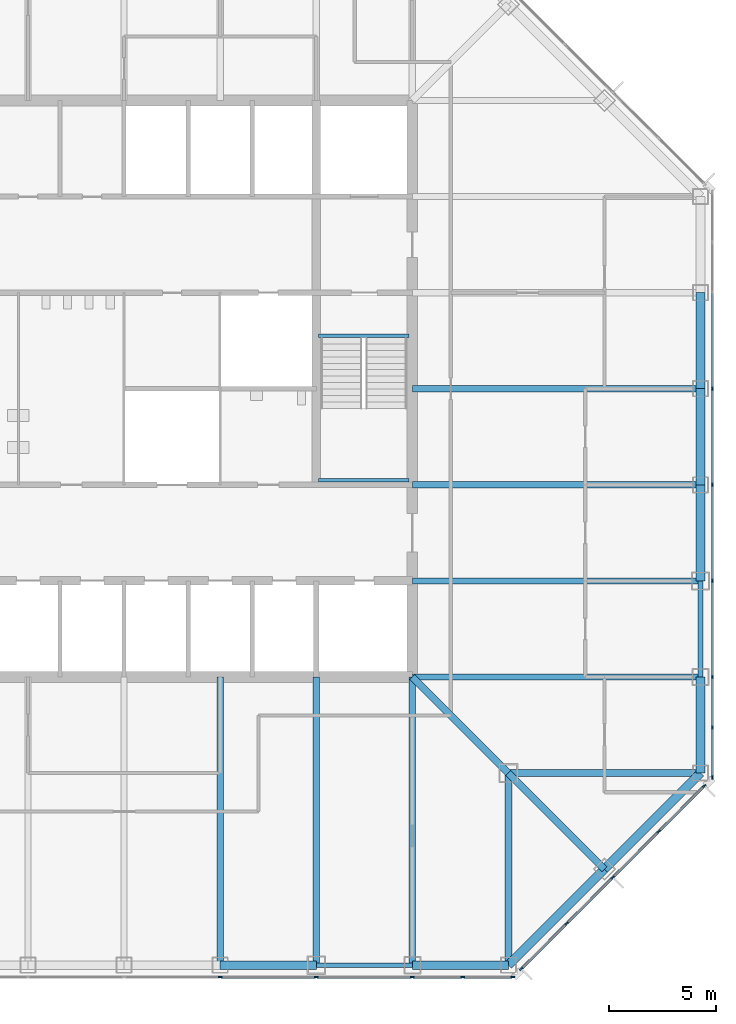
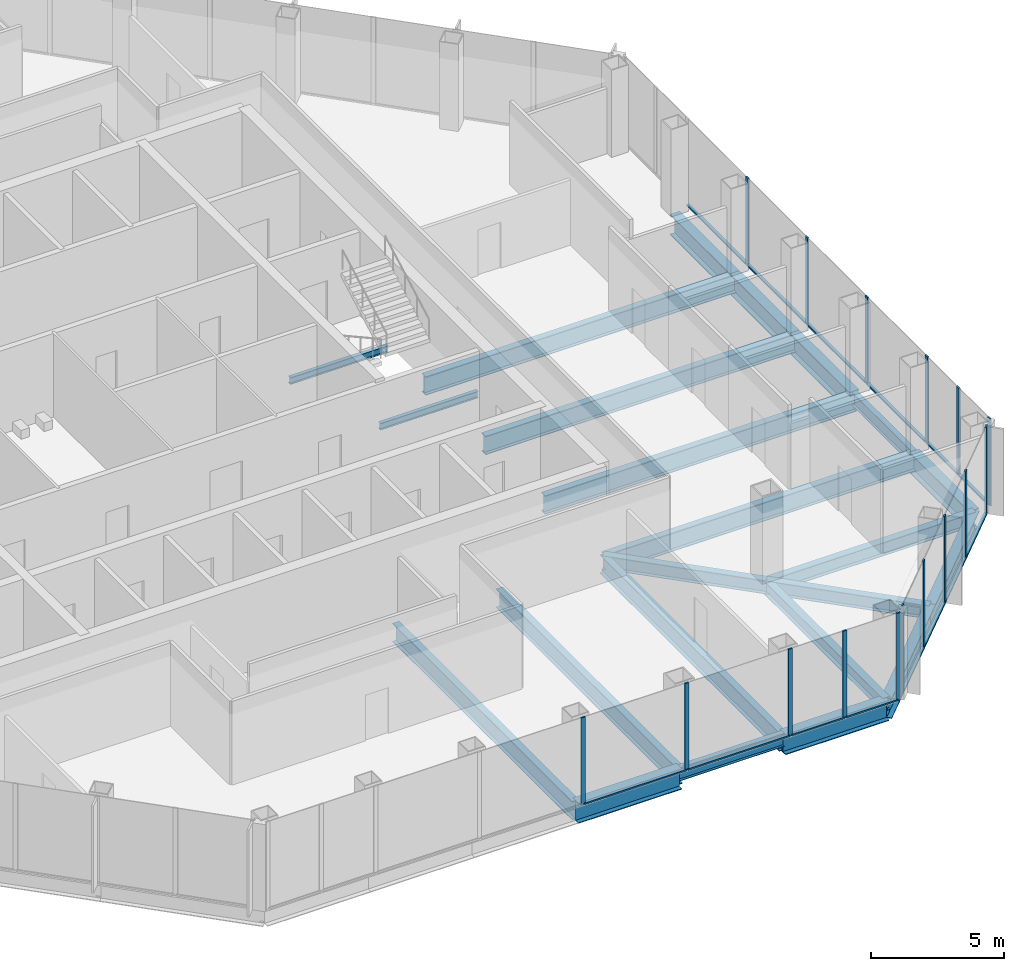
# One storey, part 4 of 13: 30 members, 23 beams, 3 elements without a shape of their own.
"""IFC4 building model written with IfcOpenShell, lengths in metres."""

from ifc_helpers import new_model, si_unit, direction, frame, origin, origin_2d, place, context, subcontext, project, spatial, rectangle, i_section, extrude, material, material_profile, profile_set, type_object, element, aggregate, save


model = new_model("IFC4")

# Units and contexts
model_context = context("Model", 3, precision=1e-05, world=origin(), true_north=direction((0.0, 1.0)))
body_context = subcontext(model_context, "Body", "Model", "MODEL_VIEW")
ifc_project = project(units=[si_unit("LENGTHUNIT", "METRE"), si_unit("AREAUNIT", "SQUARE_METRE"), si_unit("VOLUMEUNIT", "CUBIC_METRE"), si_unit("PLANEANGLEUNIT", "RADIAN"), si_unit("MASSUNIT", "GRAM", prefix="KILO")], contexts=[model_context])

# Site, building, storey
site_placement = place(None, origin())
site = spatial("IfcSite", under=ifc_project, at=site_placement, CompositionType="ELEMENT")
building_placement = place(site_placement, origin())
building = spatial("IfcBuilding", under=site, at=building_placement, Name="Corais Broadcast Tower", CompositionType="ELEMENT")
storey_placement = place(building_placement, frame((0.0, 0.0, 191.60009765625)))
storey = spatial("IfcBuildingStorey", under=building, at=storey_placement, Name="L44", CompositionType="ELEMENT", Elevation=191.60009765625)

# Beams
ifc_material_1 = material(Name="Steel ASTM A572 Grade 50", Category="steel")
ifc_material_profile_1 = material_profile(ifc_material_1, i_section(OverallWidth=0.323974609375, OverallDepth=0.611083984375, WebThickness=0.0126953125, FlangeThickness=0.01904296875, at=origin_2d()), Name="W610x155")
ifc_profile_set_1 = profile_set([ifc_material_profile_1], Name="Steel ASTM A572 Grade 50")
beam_type_1 = type_object("IfcBeamType", Name="Chamfer tie W610x155", PredefinedType="BEAM", material=ifc_profile_set_1)
beam_1_placement = place(storey_placement, frame((49.5, 4.5, -0.465576171875), z_axis=(-0.707106781187, 0.707106781187, 0.0), x_axis=(-0.707106781187, -0.707106781187, 0.0)))
element("IfcBeam", 1, at=beam_1_placement, inside=storey, type_object=beam_type_1, Name="B5 B/14 to C/13", PredefinedType="BEAM", context=body_context, shape_type="SweptSolid", body=[
    extrude(i_section(OverallWidth=0.323974609375, OverallDepth=0.611083984375, WebThickness=0.0126953125, FlangeThickness=0.01904296875, at=origin_2d()), origin(), (0.0, 0.0, 1.0), 6.364013671875),
])
ifc_material_2 = material(Name="Steel ASTM A572 Grade 50", Category="steel")
ifc_material_profile_2 = material_profile(ifc_material_2, i_section(OverallWidth=0.323974609375, OverallDepth=0.611083984375, WebThickness=0.0126953125, FlangeThickness=0.01904296875, at=origin_2d()), Name="W610x155")
ifc_profile_set_2 = profile_set([ifc_material_profile_2], Name="Steel ASTM A572 Grade 50")
beam_type_2 = type_object("IfcBeamType", Name="Corner diagonal W610x155", PredefinedType="BEAM", material=ifc_profile_set_2)
beam_2_placement = place(storey_placement, frame((45.0, 9.0, -0.465576171875), z_axis=(-0.707106781187, 0.707106781187, 0.0), x_axis=(-0.707106781187, -0.707106781187, 0.0)))
element("IfcBeam", 2, at=beam_2_placement, inside=storey, type_object=beam_type_2, Name="B6 C/13 to D/12", PredefinedType="BEAM", context=body_context, shape_type="SweptSolid", body=[
    extrude(i_section(OverallWidth=0.323974609375, OverallDepth=0.611083984375, WebThickness=0.0126953125, FlangeThickness=0.01904296875, at=origin_2d()), origin(), (0.0, 0.0, 1.0), 6.364013671875),
])
ifc_material_3 = material(Name="Steel ASTM A572 Grade 50", Category="steel")
ifc_material_profile_3 = material_profile(ifc_material_3, i_section(OverallWidth=0.323974609375, OverallDepth=0.611083984375, WebThickness=0.0126953125, FlangeThickness=0.01904296875, at=origin_2d()), Name="W610x155")
ifc_profile_set_3 = profile_set([ifc_material_profile_3], Name="Steel ASTM A572 Grade 50")
beam_type_3 = type_object("IfcBeamType", Name="Corner girder W610x155", PredefinedType="BEAM", material=ifc_profile_set_3)
for number, where, z_axis, x_axis, name in (
    (3, (45.0, 0.0, -0.465576171875), (0.0, 1.0, 0.0), (-1.0, 0.0, 0.0), "B4 A/13 to C/13"),
    (4, (54.0, 9.0, -0.465576171875), (-1.0, 0.0, 0.0), (0.0, -1.0, 0.0), "B4 C/15 to C/13"),
):
    element("IfcBeam", number, at=place(storey_placement, frame(where, z_axis=z_axis, x_axis=x_axis)), inside=storey, type_object=beam_type_3, Name=name, PredefinedType="BEAM", context=body_context, shape_type="SweptSolid", body=[
        extrude(i_section(OverallWidth=0.323974609375, OverallDepth=0.611083984375, WebThickness=0.0126953125, FlangeThickness=0.01904296875, at=origin_2d()), origin(), (0.0, 0.0, 1.0), 9.0),
    ])
ifc_material_4 = material(Name="Steel ASTM A572 Grade 50", Category="steel")
ifc_material_profile_4 = material_profile(ifc_material_4, i_section(OverallWidth=0.2939453125, OverallDepth=0.85107421875, WebThickness=0.01611328125, FlangeThickness=0.02685546875, at=origin_2d()), Name="W840x226")
ifc_profile_set_4 = profile_set([ifc_material_profile_4], Name="Steel ASTM A572 Grade 50")
beam_type_4 = type_object("IfcBeamType", Name="Floor beam W840x226", PredefinedType="BEAM", material=ifc_profile_set_4)
for number, where, z_axis, x_axis, name in (
    (5, (31.5, 0.0, -0.585693359375), (0.0, 1.0, 0.0), (-1.0, 0.0, 0.0), "B1 A/10 to D/10"),
    (6, (36.0, 0.0, -0.585693359375), (0.0, 1.0, 0.0), (-1.0, 0.0, 0.0), "B1 A/11 to D/11"),
    (7, (40.5, 0.0, -0.585693359375), (0.0, 1.0, 0.0), (-1.0, 0.0, 0.0), "B1 A/12 to D/12"),
    (8, (54.0, 13.5, -0.585693359375), (-1.0, 0.0, 0.0), (0.0, -1.0, 0.0), "B1 D/15 to D/12"),
    (9, (54.0, 18.0, -0.585693359375), (-1.0, 0.0, 0.0), (0.0, -1.0, 0.0), "B1 E/15 to E/12"),
    (10, (54.0, 22.5, -0.585693359375), (-1.0, 0.0, 0.0), (0.0, -1.0, 0.0), "B1 F/15 to F/12"),
    (11, (54.0, 27.0, -0.585693359375), (-1.0, 0.0, 0.0), (0.0, -1.0, 0.0), "B1 G/15 to G/12"),
):
    element("IfcBeam", number, at=place(storey_placement, frame(where, z_axis=z_axis, x_axis=x_axis)), inside=storey, type_object=beam_type_4, Name=name, PredefinedType="BEAM", context=body_context, shape_type="SweptSolid", body=[
        extrude(i_section(OverallWidth=0.2939453125, OverallDepth=0.85107421875, WebThickness=0.01611328125, FlangeThickness=0.02685546875, at=origin_2d()), origin(), (0.0, 0.0, 1.0), 13.5),
    ])
ifc_material_5 = material(Name="Steel ASTM A572 Grade 50", Category="steel")
ifc_material_profile_5 = material_profile(ifc_material_5, i_section(OverallWidth=0.1650390625, OverallDepth=0.31005859375, WebThickness=0.005859375, FlangeThickness=0.009765625, at=origin_2d()), Name="W310x38.7")
ifc_profile_set_5 = profile_set([ifc_material_profile_5], Name="Steel ASTM A572 Grade 50")
beam_type_5 = type_object("IfcBeamType", Name="Landing trimmer W310x38.7", PredefinedType="BEAM", material=ifc_profile_set_5)
for number, where, z_axis, x_axis, name in (
    (12, (36.10009765625, 29.47509765625, -0.35498046875), (1.0, 0.0, 0.0), (0.0, 1.0, 0.0), "LT1 stair B landing trimmer L44"),
    (13, (36.10009765625, 22.715087890625, 1.64501953125), (1.0, 0.0, 0.0), (0.0, 1.0, 0.0), "LT1 stair B half landing trimmer L44"),
):
    element("IfcBeam", number, at=place(storey_placement, frame(where, z_axis=z_axis, x_axis=x_axis)), inside=storey, type_object=beam_type_5, Name=name, PredefinedType="BEAM", context=body_context, shape_type="SweptSolid", body=[
        extrude(i_section(OverallWidth=0.1650390625, OverallDepth=0.31005859375, WebThickness=0.005859375, FlangeThickness=0.009765625, at=origin_2d()), origin(), (0.0, 0.0, 1.0), 4.25),
    ])

# Curtain wall, members
ifc_material_6 = material(Name="Aluminium and glass", Category="aluminium")
curtain_wall_type = type_object("IfcCurtainWallType", Name="Unitised fritted curtain wall CW2", PredefinedType="NOTDEFINED", material=ifc_material_6)
curtain_wall_1_placement = place(storey_placement, origin())
curtain_wall_1 = element("IfcCurtainWall", 14, at=curtain_wall_1_placement, inside=storey, type_object=curtain_wall_type, Name="CW2 curtain wall L44 6", PredefinedType="NOTDEFINED")
ifc_material_7 = material(Name="Aluminium 6063-T6", Category="aluminium")
ifc_material_profile_6 = material_profile(ifc_material_7, rectangle(XDim=0.06494140625, YDim=0.179931640625, at=origin_2d()), Name="Mullion CW2 65x180")
ifc_profile_set_6 = profile_set([ifc_material_profile_6], Name="Aluminium 6063-T6")
member_type_1 = type_object("IfcMemberType", Name="Mullion CW2 65x180", PredefinedType="MULLION", material=ifc_profile_set_6)
member_1_placement = place(storey_placement, frame((54.550048828125, 27.0, 0.0), z_axis=(0.0, 0.0, 1.0), x_axis=(1.0, 0.0, 0.0)))
member_1 = element("IfcMember", 15, at=member_1_placement, type_object=member_type_1, Name="CW2 mullion 4", PredefinedType="MULLION", context=body_context, shape_type="SweptSolid", body=[
    extrude(rectangle(XDim=0.06494140625, YDim=0.179931640625, at=origin_2d()), origin(), (0.0, 0.0, 1.0), 4.0),
])
member_2_placement = place(storey_placement, frame((54.550048828125, 22.5, 0.0), z_axis=(0.0, 0.0, 1.0), x_axis=(1.0, 0.0, 0.0)))
member_2 = element("IfcMember", 16, at=member_2_placement, type_object=member_type_1, Name="CW2 mullion 5", PredefinedType="MULLION", context=body_context, shape_type="SweptSolid", body=[
    extrude(rectangle(XDim=0.06494140625, YDim=0.179931640625, at=origin_2d()), origin(), (0.0, 0.0, 1.0), 4.0),
])
member_3_placement = place(storey_placement, frame((54.550048828125, 18.0, 0.0), z_axis=(0.0, 0.0, 1.0), x_axis=(1.0, 0.0, 0.0)))
member_3 = element("IfcMember", 17, at=member_3_placement, type_object=member_type_1, Name="CW2 mullion 6", PredefinedType="MULLION", context=body_context, shape_type="SweptSolid", body=[
    extrude(rectangle(XDim=0.06494140625, YDim=0.179931640625, at=origin_2d()), origin(), (0.0, 0.0, 1.0), 4.0),
])
member_4_placement = place(storey_placement, frame((54.550048828125, 13.5, 0.0), z_axis=(0.0, 0.0, 1.0), x_axis=(1.0, 0.0, 0.0)))
member_4 = element("IfcMember", 18, at=member_4_placement, type_object=member_type_1, Name="CW2 mullion 7", PredefinedType="MULLION", context=body_context, shape_type="SweptSolid", body=[
    extrude(rectangle(XDim=0.06494140625, YDim=0.179931640625, at=origin_2d()), origin(), (0.0, 0.0, 1.0), 4.0),
])
member_5_placement = place(storey_placement, frame((54.550048828125, 11.135986328125, 0.0), z_axis=(0.0, 0.0, 1.0), x_axis=(1.0, 0.0, 0.0)))
member_5 = element("IfcMember", 19, at=member_5_placement, type_object=member_type_1, Name="CW2 mullion 8", PredefinedType="MULLION", context=body_context, shape_type="SweptSolid", body=[
    extrude(rectangle(XDim=0.06494140625, YDim=0.179931640625, at=origin_2d()), origin(), (0.0, 0.0, 1.0), 4.0),
])
member_6_placement = place(storey_placement, frame((54.550048828125, 8.8046875, 0.0), z_axis=(0.0, 0.0, 1.0), x_axis=(1.0, 0.0, 0.0)))
member_6 = element("IfcMember", 20, at=member_6_placement, type_object=member_type_1, Name="CW2 mullion 9", PredefinedType="MULLION", context=body_context, shape_type="SweptSolid", body=[
    extrude(rectangle(XDim=0.06494140625, YDim=0.179931640625, at=origin_2d()), origin(), (0.0, 0.0, 1.0), 4.0),
])

curtain_wall_2_placement = place(storey_placement, origin())
curtain_wall_2 = element("IfcCurtainWall", 21, at=curtain_wall_2_placement, inside=storey, type_object=curtain_wall_type, Name="CW2 curtain wall L44 7", PredefinedType="NOTDEFINED")
member_7_placement = place(storey_placement, frame((54.17333984375, 8.3955078125, 0.0), z_axis=(0.0, 0.0, 1.0), x_axis=(0.707106781187, -0.707106781187, 0.0)))
member_7 = element("IfcMember", 22, at=member_7_placement, type_object=member_type_1, Name="CW2 mullion 1", PredefinedType="MULLION", context=body_context, shape_type="SweptSolid", body=[
    extrude(rectangle(XDim=0.06494140625, YDim=0.179931640625, at=origin_2d()), origin(), (0.0, 0.0, 1.0), 4.0),
])
member_8_placement = place(storey_placement, frame((52.042724609375, 6.264892578125, 0.0), z_axis=(0.0, 0.0, 1.0), x_axis=(0.707106781187, -0.707106781187, 0.0)))
member_8 = element("IfcMember", 23, at=member_8_placement, type_object=member_type_1, Name="CW2 mullion 2", PredefinedType="MULLION", context=body_context, shape_type="SweptSolid", body=[
    extrude(rectangle(XDim=0.06494140625, YDim=0.179931640625, at=origin_2d()), origin(), (0.0, 0.0, 1.0), 4.0),
])
member_9_placement = place(storey_placement, frame((49.888916015625, 4.111083984375, 0.0), z_axis=(0.0, 0.0, 1.0), x_axis=(0.707106781187, -0.707106781187, 0.0)))
member_9 = element("IfcMember", 24, at=member_9_placement, type_object=member_type_1, Name="CW2 mullion 3", PredefinedType="MULLION", context=body_context, shape_type="SweptSolid", body=[
    extrude(rectangle(XDim=0.06494140625, YDim=0.179931640625, at=origin_2d()), origin(), (0.0, 0.0, 1.0), 4.0),
])
member_10_placement = place(storey_placement, frame((47.735107421875, 1.957275390625, 0.0), z_axis=(0.0, 0.0, 1.0), x_axis=(0.707106781187, -0.707106781187, 0.0)))
member_10 = element("IfcMember", 25, at=member_10_placement, type_object=member_type_1, Name="CW2 mullion 4", PredefinedType="MULLION", context=body_context, shape_type="SweptSolid", body=[
    extrude(rectangle(XDim=0.06494140625, YDim=0.179931640625, at=origin_2d()), origin(), (0.0, 0.0, 1.0), 4.0),
])
member_11_placement = place(storey_placement, frame((45.6044921875, -0.17333984375, 0.0), z_axis=(0.0, 0.0, 1.0), x_axis=(0.707106781187, -0.707106781187, 0.0)))
member_11 = element("IfcMember", 26, at=member_11_placement, type_object=member_type_1, Name="CW2 mullion 5", PredefinedType="MULLION", context=body_context, shape_type="SweptSolid", body=[
    extrude(rectangle(XDim=0.06494140625, YDim=0.179931640625, at=origin_2d()), origin(), (0.0, 0.0, 1.0), 4.0),
])

curtain_wall_3_placement = place(storey_placement, origin())
curtain_wall_3 = element("IfcCurtainWall", 27, at=curtain_wall_3_placement, inside=storey, type_object=curtain_wall_type, Name="CW2 curtain wall L44 8", PredefinedType="NOTDEFINED")
member_12_placement = place(storey_placement, frame((45.1953125, -0.550048828125, 0.0), z_axis=(0.0, 0.0, 1.0), x_axis=(0.0, -1.0, 0.0)))
member_12 = element("IfcMember", 28, at=member_12_placement, type_object=member_type_1, Name="CW2 mullion 1", PredefinedType="MULLION", context=body_context, shape_type="SweptSolid", body=[
    extrude(rectangle(XDim=0.06494140625, YDim=0.179931640625, at=origin_2d()), origin(), (0.0, 0.0, 1.0), 4.0),
])
member_13_placement = place(storey_placement, frame((42.864013671875, -0.550048828125, 0.0), z_axis=(0.0, 0.0, 1.0), x_axis=(0.0, -1.0, 0.0)))
member_13 = element("IfcMember", 29, at=member_13_placement, type_object=member_type_1, Name="CW2 mullion 2", PredefinedType="MULLION", context=body_context, shape_type="SweptSolid", body=[
    extrude(rectangle(XDim=0.06494140625, YDim=0.179931640625, at=origin_2d()), origin(), (0.0, 0.0, 1.0), 4.0),
])
member_14_placement = place(storey_placement, frame((40.5, -0.550048828125, 0.0), z_axis=(0.0, 0.0, 1.0), x_axis=(0.0, -1.0, 0.0)))
member_14 = element("IfcMember", 30, at=member_14_placement, type_object=member_type_1, Name="CW2 mullion 3", PredefinedType="MULLION", context=body_context, shape_type="SweptSolid", body=[
    extrude(rectangle(XDim=0.06494140625, YDim=0.179931640625, at=origin_2d()), origin(), (0.0, 0.0, 1.0), 4.0),
])
member_15_placement = place(storey_placement, frame((36.0, -0.550048828125, 0.0), z_axis=(0.0, 0.0, 1.0), x_axis=(0.0, -1.0, 0.0)))
member_15 = element("IfcMember", 31, at=member_15_placement, type_object=member_type_1, Name="CW2 mullion 4", PredefinedType="MULLION", context=body_context, shape_type="SweptSolid", body=[
    extrude(rectangle(XDim=0.06494140625, YDim=0.179931640625, at=origin_2d()), origin(), (0.0, 0.0, 1.0), 4.0),
])
member_16_placement = place(storey_placement, frame((31.5, -0.550048828125, 0.0), z_axis=(0.0, 0.0, 1.0), x_axis=(0.0, -1.0, 0.0)))
member_16 = element("IfcMember", 32, at=member_16_placement, type_object=member_type_1, Name="CW2 mullion 5", PredefinedType="MULLION", context=body_context, shape_type="SweptSolid", body=[
    extrude(rectangle(XDim=0.06494140625, YDim=0.179931640625, at=origin_2d()), origin(), (0.0, 0.0, 1.0), 4.0),
])

# Beams
ifc_material_8 = material(Name="Steel ASTM A572 Grade 50", Category="steel")
ifc_material_profile_7 = material_profile(ifc_material_8, i_section(OverallWidth=0.22900390625, OverallDepth=0.612060546875, WebThickness=0.011962890625, FlangeThickness=0.01953125, at=origin_2d()), Name="W610x125")
ifc_profile_set_7 = profile_set([ifc_material_profile_7], Name="Steel ASTM A572 Grade 50")
beam_type_6 = type_object("IfcBeamType", Name="Pinned spandrel W610x125", PredefinedType="BEAM", material=ifc_profile_set_7)
for number, where, z_axis, x_axis, name in (
    (33, (36.0, 0.0, -0.466064453125), (1.0, 0.0, 0.0), (0.0, 1.0, 0.0), "SB7 A/11 to A/12"),
    (34, (54.0, 13.5, -0.466064453125), (0.0, 1.0, 0.0), (-1.0, 0.0, 0.0), "SB7 D/15 to E/15"),
):
    element("IfcBeam", number, at=place(storey_placement, frame(where, z_axis=z_axis, x_axis=x_axis)), inside=storey, type_object=beam_type_6, Name=name, PredefinedType="BEAM", context=body_context, shape_type="SweptSolid", body=[
        extrude(i_section(OverallWidth=0.22900390625, OverallDepth=0.612060546875, WebThickness=0.011962890625, FlangeThickness=0.01953125, at=origin_2d()), origin(), (0.0, 0.0, 1.0), 4.5),
    ])
ifc_material_9 = material(Name="Steel ASTM A572 Grade 50", Category="steel")
ifc_material_profile_8 = material_profile(ifc_material_9, i_section(OverallWidth=0.4189453125, OverallDepth=0.94189453125, WebThickness=0.022216796875, FlangeThickness=0.03662109375, at=origin_2d()), Name="W920x345")
ifc_profile_set_8 = profile_set([ifc_material_profile_8], Name="Steel ASTM A572 Grade 50")
beam_type_7 = type_object("IfcBeamType", Name="Transfer spandrel W920x345", PredefinedType="BEAM", material=ifc_profile_set_8)
for number, where, z_axis, x_axis, name in (
    (35, (31.5, 0.0, -0.631103515625), (1.0, 0.0, 0.0), (0.0, 1.0, 0.0), "SB4 A/10 to A/11"),
    (36, (40.5, 0.0, -0.631103515625), (1.0, 0.0, 0.0), (0.0, 1.0, 0.0), "SB4 A/12 to A/13"),
):
    element("IfcBeam", number, at=place(storey_placement, frame(where, z_axis=z_axis, x_axis=x_axis)), inside=storey, type_object=beam_type_7, Name=name, PredefinedType="BEAM", context=body_context, shape_type="SweptSolid", body=[
        extrude(i_section(OverallWidth=0.4189453125, OverallDepth=0.94189453125, WebThickness=0.022216796875, FlangeThickness=0.03662109375, at=origin_2d()), origin(), (0.0, 0.0, 1.0), 4.5),
    ])
for number, where, z_axis, x_axis, name in (
    (37, (45.0, 0.0, -0.631103515625), (0.707106781187, 0.707106781187, 0.0), (-0.707106781187, 0.707106781187, 0.0), "SB4 A/13 to B/14"),
    (38, (49.5, 4.5, -0.631103515625), (0.707106781187, 0.707106781187, 0.0), (-0.707106781187, 0.707106781187, 0.0), "SB4 B/14 to C/15"),
):
    element("IfcBeam", number, at=place(storey_placement, frame(where, z_axis=z_axis, x_axis=x_axis)), inside=storey, type_object=beam_type_7, Name=name, PredefinedType="BEAM", context=body_context, shape_type="SweptSolid", body=[
        extrude(i_section(OverallWidth=0.4189453125, OverallDepth=0.94189453125, WebThickness=0.022216796875, FlangeThickness=0.03662109375, at=origin_2d()), origin(), (0.0, 0.0, 1.0), 6.364013671875),
    ])
for number, where, z_axis, x_axis, name in (
    (39, (54.0, 18.0, -0.631103515625), (0.0, 1.0, 0.0), (-1.0, 0.0, 0.0), "SB4 E/15 to F/15"),
    (40, (54.0, 22.5, -0.631103515625), (0.0, 1.0, 0.0), (-1.0, 0.0, 0.0), "SB4 F/15 to G/15"),
    (41, (54.0, 27.0, -0.631103515625), (0.0, 1.0, 0.0), (-1.0, 0.0, 0.0), "SB4 G/15 to H/15"),
    (42, (54.0, 9.0, -0.631103515625), (0.0, 1.0, 0.0), (-1.0, 0.0, 0.0), "SB4 C/15 to D/15"),
):
    element("IfcBeam", number, at=place(storey_placement, frame(where, z_axis=z_axis, x_axis=x_axis)), inside=storey, type_object=beam_type_7, Name=name, PredefinedType="BEAM", context=body_context, shape_type="SweptSolid", body=[
        extrude(i_section(OverallWidth=0.4189453125, OverallDepth=0.94189453125, WebThickness=0.022216796875, FlangeThickness=0.03662109375, at=origin_2d()), origin(), (0.0, 0.0, 1.0), 4.5),
    ])

# Member
ifc_material_10 = material(Name="Aluminium 6063-T6", Category="aluminium")
ifc_material_profile_9 = material_profile(ifc_material_10, rectangle(XDim=0.1298828125, YDim=0.06494140625, at=origin_2d()), Name="Transom CW2 65x130")
ifc_profile_set_9 = profile_set([ifc_material_profile_9], Name="Aluminium 6063-T6")
member_type_2 = type_object("IfcMemberType", Name="Transom CW2 65x130", PredefinedType="USERDEFINED", material=ifc_profile_set_9)
member_17_placement = place(storey_placement, frame((54.550048828125, 31.467529296875, 0.032470703125), z_axis=(0.0, -1.0, 0.0), x_axis=(1.0, 0.0, 0.0)))
member_17 = element("IfcMember", 43, at=member_17_placement, type_object=member_type_2, Name="CW2 transom 3.1", ObjectType="TRANSOM", PredefinedType="USERDEFINED", context=body_context, shape_type="SweptSolid", body=[
    extrude(rectangle(XDim=0.1298828125, YDim=0.06494140625, at=origin_2d()), origin(), (0.0, 0.0, 1.0), 4.43505859375),
])

member_18_placement = place(storey_placement, frame((54.550048828125, 26.967529296875, 0.032470703125), z_axis=(0.0, -1.0, 0.0), x_axis=(1.0, 0.0, 0.0)))
member_18 = element("IfcMember", 44, at=member_18_placement, type_object=member_type_2, Name="CW2 transom 4.1", ObjectType="TRANSOM", PredefinedType="USERDEFINED", context=body_context, shape_type="SweptSolid", body=[
    extrude(rectangle(XDim=0.1298828125, YDim=0.06494140625, at=origin_2d()), origin(), (0.0, 0.0, 1.0), 4.43505859375),
])

member_19_placement = place(storey_placement, frame((54.550048828125, 22.467529296875, 0.032470703125), z_axis=(0.0, -1.0, 0.0), x_axis=(1.0, 0.0, 0.0)))
member_19 = element("IfcMember", 45, at=member_19_placement, type_object=member_type_2, Name="CW2 transom 5.1", ObjectType="TRANSOM", PredefinedType="USERDEFINED", context=body_context, shape_type="SweptSolid", body=[
    extrude(rectangle(XDim=0.1298828125, YDim=0.06494140625, at=origin_2d()), origin(), (0.0, 0.0, 1.0), 4.43505859375),
])

member_20_placement = place(storey_placement, frame((54.550048828125, 17.967529296875, 0.032470703125), z_axis=(0.0, -1.0, 0.0), x_axis=(1.0, 0.0, 0.0)))
member_20 = element("IfcMember", 46, at=member_20_placement, type_object=member_type_2, Name="CW2 transom 6.1", ObjectType="TRANSOM", PredefinedType="USERDEFINED", context=body_context, shape_type="SweptSolid", body=[
    extrude(rectangle(XDim=0.1298828125, YDim=0.06494140625, at=origin_2d()), origin(), (0.0, 0.0, 1.0), 4.43505859375),
])

member_21_placement = place(storey_placement, frame((54.550048828125, 13.467529296875, 0.032470703125), z_axis=(0.0, -1.0, 0.0), x_axis=(1.0, 0.0, 0.0)))
member_21 = element("IfcMember", 47, at=member_21_placement, type_object=member_type_2, Name="CW2 transom 7.1", ObjectType="TRANSOM", PredefinedType="USERDEFINED", context=body_context, shape_type="SweptSolid", body=[
    extrude(rectangle(XDim=0.1298828125, YDim=0.06494140625, at=origin_2d()), origin(), (0.0, 0.0, 1.0), 2.298828125),
])

member_22_placement = place(storey_placement, frame((54.550048828125, 11.103515625, 0.032470703125), z_axis=(0.0, -1.0, 0.0), x_axis=(1.0, 0.0, 0.0)))
member_22 = element("IfcMember", 48, at=member_22_placement, type_object=member_type_2, Name="CW2 transom 8.1", ObjectType="TRANSOM", PredefinedType="USERDEFINED", context=body_context, shape_type="SweptSolid", body=[
    extrude(rectangle(XDim=0.1298828125, YDim=0.06494140625, at=origin_2d()), origin(), (0.0, 0.0, 1.0), 2.266357421875),
])

aggregate(curtain_wall_1, [member_1, member_2, member_3, member_4, member_5, member_6, member_17, member_18, member_19, member_20, member_21, member_22])

member_23_placement = place(storey_placement, frame((54.150390625, 8.37255859375, 0.032470703125), z_axis=(-0.707106781187, -0.707106781187, 0.0), x_axis=(0.707106781187, -0.707106781187, 0.0)))
member_23 = element("IfcMember", 49, at=member_23_placement, type_object=member_type_2, Name="CW2 transom 1.1", ObjectType="TRANSOM", PredefinedType="USERDEFINED", context=body_context, shape_type="SweptSolid", body=[
    extrude(rectangle(XDim=0.1298828125, YDim=0.06494140625, at=origin_2d()), origin(), (0.0, 0.0, 1.0), 2.9482421875),
])

member_24_placement = place(storey_placement, frame((52.019775390625, 6.241943359375, 0.032470703125), z_axis=(-0.707106781187, -0.707106781187, 0.0), x_axis=(0.707106781187, -0.707106781187, 0.0)))
member_24 = element("IfcMember", 50, at=member_24_placement, type_object=member_type_2, Name="CW2 transom 2.1", ObjectType="TRANSOM", PredefinedType="USERDEFINED", context=body_context, shape_type="SweptSolid", body=[
    extrude(rectangle(XDim=0.1298828125, YDim=0.06494140625, at=origin_2d()), origin(), (0.0, 0.0, 1.0), 2.98095703125),
])

member_25_placement = place(storey_placement, frame((49.865966796875, 4.088134765625, 0.032470703125), z_axis=(-0.707106781187, -0.707106781187, 0.0), x_axis=(0.707106781187, -0.707106781187, 0.0)))
member_25 = element("IfcMember", 51, at=member_25_placement, type_object=member_type_2, Name="CW2 transom 3.1", ObjectType="TRANSOM", PredefinedType="USERDEFINED", context=body_context, shape_type="SweptSolid", body=[
    extrude(rectangle(XDim=0.1298828125, YDim=0.06494140625, at=origin_2d()), origin(), (0.0, 0.0, 1.0), 2.98095703125),
])

member_26_placement = place(storey_placement, frame((47.712158203125, 1.934326171875, 0.032470703125), z_axis=(-0.707106781187, -0.707106781187, 0.0), x_axis=(0.707106781187, -0.707106781187, 0.0)))
member_26 = element("IfcMember", 52, at=member_26_placement, type_object=member_type_2, Name="CW2 transom 4.1", ObjectType="TRANSOM", PredefinedType="USERDEFINED", context=body_context, shape_type="SweptSolid", body=[
    extrude(rectangle(XDim=0.1298828125, YDim=0.06494140625, at=origin_2d()), origin(), (0.0, 0.0, 1.0), 2.9482421875),
])

aggregate(curtain_wall_2, [member_7, member_8, member_9, member_10, member_11, member_23, member_24, member_25, member_26])

member_27_placement = place(storey_placement, frame((45.162841796875, -0.550048828125, 0.032470703125), z_axis=(-1.0, 0.0, 0.0), x_axis=(0.0, -1.0, 0.0)))
member_27 = element("IfcMember", 53, at=member_27_placement, type_object=member_type_2, Name="CW2 transom 1.1", ObjectType="TRANSOM", PredefinedType="USERDEFINED", context=body_context, shape_type="SweptSolid", body=[
    extrude(rectangle(XDim=0.1298828125, YDim=0.06494140625, at=origin_2d()), origin(), (0.0, 0.0, 1.0), 2.266357421875),
])

member_28_placement = place(storey_placement, frame((42.831298828125, -0.550048828125, 0.032470703125), z_axis=(-1.0, 0.0, 0.0), x_axis=(0.0, -1.0, 0.0)))
member_28 = element("IfcMember", 54, at=member_28_placement, type_object=member_type_2, Name="CW2 transom 2.1", ObjectType="TRANSOM", PredefinedType="USERDEFINED", context=body_context, shape_type="SweptSolid", body=[
    extrude(rectangle(XDim=0.1298828125, YDim=0.06494140625, at=origin_2d()), origin(), (0.0, 0.0, 1.0), 2.298828125),
])

member_29_placement = place(storey_placement, frame((40.467529296875, -0.550048828125, 0.032470703125), z_axis=(-1.0, 0.0, 0.0), x_axis=(0.0, -1.0, 0.0)))
member_29 = element("IfcMember", 55, at=member_29_placement, type_object=member_type_2, Name="CW2 transom 3.1", ObjectType="TRANSOM", PredefinedType="USERDEFINED", context=body_context, shape_type="SweptSolid", body=[
    extrude(rectangle(XDim=0.1298828125, YDim=0.06494140625, at=origin_2d()), origin(), (0.0, 0.0, 1.0), 4.43505859375),
])

member_30_placement = place(storey_placement, frame((35.967529296875, -0.550048828125, 0.032470703125), z_axis=(-1.0, 0.0, 0.0), x_axis=(0.0, -1.0, 0.0)))
member_30 = element("IfcMember", 56, at=member_30_placement, type_object=member_type_2, Name="CW2 transom 4.1", ObjectType="TRANSOM", PredefinedType="USERDEFINED", context=body_context, shape_type="SweptSolid", body=[
    extrude(rectangle(XDim=0.1298828125, YDim=0.06494140625, at=origin_2d()), origin(), (0.0, 0.0, 1.0), 4.43505859375),
])

aggregate(curtain_wall_3, [member_12, member_13, member_14, member_15, member_16, member_27, member_28, member_29, member_30])

save(model, "model.ifc")
